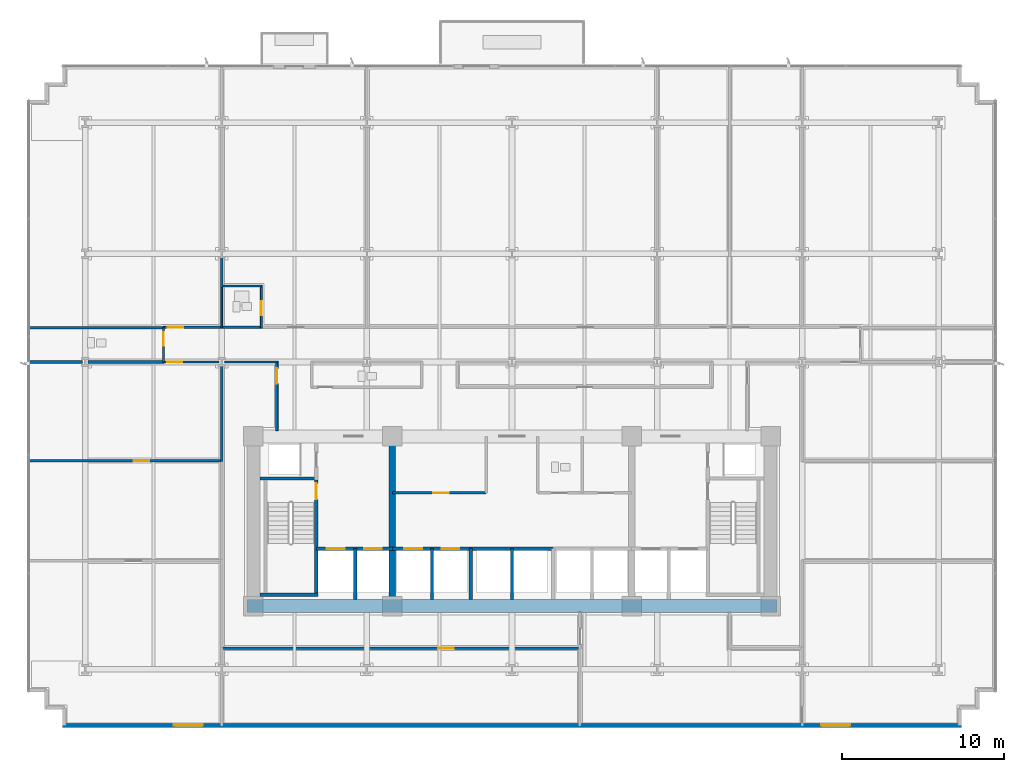
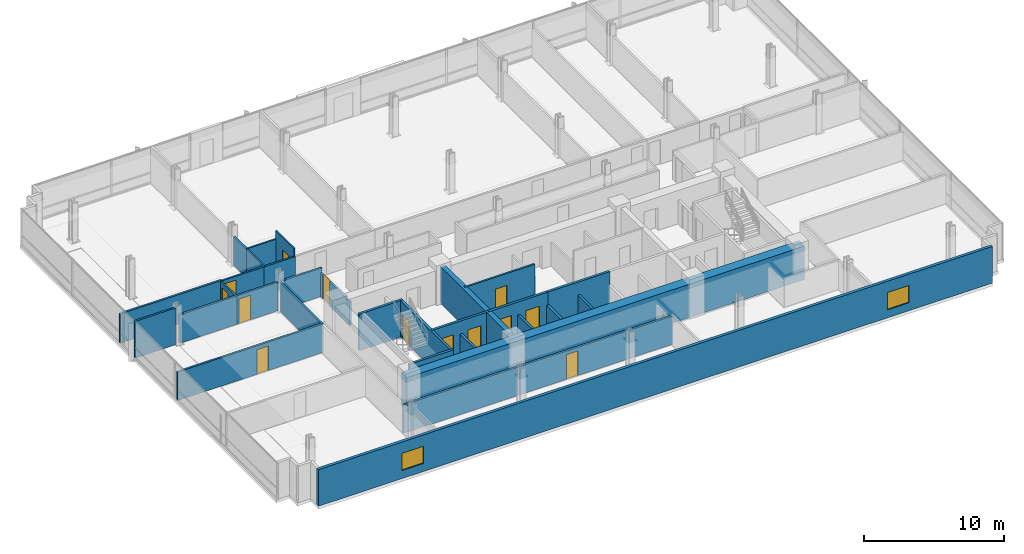
# One storey, part 13 of 21: 30 walls, 13 doors, 2 windows, 15 openings.
"""IFC4 building model written with IfcOpenShell, lengths in metres."""

from ifc_helpers import new_model, si_unit, direction, frame, frame_2d, origin, place, context, subcontext, project, spatial, rectangle, extrude, material, layer, layer_set, type_object, element, fill, save


model = new_model("IFC4")

# Units and contexts
model_context = context("Model", 3, precision=1e-05, world=origin(), true_north=direction((0.0, 1.0)))
body_context = subcontext(model_context, "Body", "Model", "MODEL_VIEW")
ifc_project = project(units=[si_unit("LENGTHUNIT", "METRE"), si_unit("AREAUNIT", "SQUARE_METRE"), si_unit("VOLUMEUNIT", "CUBIC_METRE"), si_unit("PLANEANGLEUNIT", "RADIAN"), si_unit("MASSUNIT", "GRAM", prefix="KILO")], contexts=[model_context])

# Site, building, storey
site_placement = place(None, origin())
site = spatial("IfcSite", under=ifc_project, at=site_placement, CompositionType="ELEMENT")
building_placement = place(site_placement, origin())
building = spatial("IfcBuilding", under=site, at=building_placement, Name="Solmavex Isthmus Hotel", CompositionType="ELEMENT")
storey_placement = place(building_placement, frame((0.0, 0.0, 54.0)))
storey = spatial("IfcBuildingStorey", under=building, at=storey_placement, Name="L14", CompositionType="ELEMENT", Elevation=54.0)

# Wall, openings, windows
ifc_material_1 = material(Name="Precast Concrete C40/50", Category="concrete")
ifc_layer_1 = layer(ifc_material_1, 0.25)
ifc_layer_set_1 = layer_set([ifc_layer_1], Name="Precast Concrete C40/50")
wall_type_1 = type_object("IfcWallType", Name="EW-TWR-250", PredefinedType="STANDARD", material=ifc_layer_set_1)
wall_1_placement = place(storey_placement, frame((-27.800048828125, -20.3798828125, 0.0), z_axis=(0.0, 0.0, 1.0), x_axis=(1.0, 0.0, 0.0)))
wall_1 = element("IfcWall", 1, at=wall_1_placement, inside=storey, type_object=wall_type_1, Name="Tower Rear South Facade Wall L14", PredefinedType="STANDARD", context=body_context, shape_type="SweptSolid", body=[
    extrude(rectangle(XDim=55.60009765625, YDim=0.239990234375, at=frame_2d((27.800048828125, 0.0))), origin(), (0.0, 0.0, 1.0), 3.18994140625),
])
opening_1_placement = place(wall_1_placement, frame((6.884033203125, 0.0, 0.699951171875)))
opening_1 = element("IfcOpeningElement", 2, at=opening_1_placement, cuts=wall_1, Name="Opening WN-02", PredefinedType="OPENING", context=body_context, shape_type="SweptSolid", body=[
    extrude(rectangle(XDim=1.800048828125, YDim=1.5, at=frame_2d((0.89990234375, 0.75))), frame((0.0, 0.1298828125, 0.0), z_axis=(0.0, -1.0, 0.0), x_axis=(1.0, 0.0, 0.0)), (0.0, 0.0, 1.0), 0.260009765625),
])
opening_2_placement = place(wall_1_placement, frame((46.916015625, 0.0, 0.699951171875)))
opening_2 = element("IfcOpeningElement", 3, at=opening_2_placement, cuts=wall_1, Name="Opening WN-02", PredefinedType="OPENING", context=body_context, shape_type="SweptSolid", body=[
    extrude(rectangle(XDim=1.800048828125, YDim=1.5, at=frame_2d((0.89990234375, 0.75))), frame((0.0, 0.1298828125, 0.0), z_axis=(0.0, -1.0, 0.0), x_axis=(1.0, 0.0, 0.0)), (0.0, 0.0, 1.0), 0.260009765625),
])
ifc_material_2 = material(Name="Clear low-E laminated glass", Category="glass")
window_type = type_object("IfcWindowType", Name="WIN-TWR-1800", PartitioningType="SINGLE_PANEL", PredefinedType="WINDOW", material=ifc_material_2)
window_1_placement = place(opening_1_placement, origin())
window_1 = element("IfcWindow", 4, at=window_1_placement, inside=storey, type_object=window_type, Name="South Facade Vision Window L14-S1", OverallHeight=1.5, OverallWidth=1.800048828125, PartitioningType="SINGLE_PANEL", PredefinedType="WINDOW", context=body_context, shape_type="SweptSolid", body=[
    extrude(rectangle(XDim=1.800048828125, YDim=1.5, at=frame_2d((0.89990234375, 0.75))), frame((0.0, 0.030029296875, 0.0), z_axis=(0.0, -1.0, 0.0), x_axis=(1.0, 0.0, 0.0)), (0.0, 0.0, 1.0), 0.06005859375),
])
fill(opening_1, window_1)
window_2_placement = place(opening_2_placement, origin())
window_2 = element("IfcWindow", 5, at=window_2_placement, inside=storey, type_object=window_type, Name="South Facade Vision Window L14-S2", OverallHeight=1.5, OverallWidth=1.800048828125, PartitioningType="SINGLE_PANEL", PredefinedType="WINDOW", context=body_context, shape_type="SweptSolid", body=[
    extrude(rectangle(XDim=1.800048828125, YDim=1.5, at=frame_2d((0.89990234375, 0.75))), frame((0.0, 0.030029296875, 0.0), z_axis=(0.0, -1.0, 0.0), x_axis=(1.0, 0.0, 0.0)), (0.0, 0.0, 1.0), 0.06005859375),
])
fill(opening_2, window_2)

# Walls
ifc_material_3 = material(Name="Gypsum plasterboard lining", Category="gypsum")
ifc_layer_2 = layer(ifc_material_3, 0.159912109375)
ifc_layer_set_2 = layer_set([ifc_layer_2], Name="Gypsum plasterboard lining")
wall_type_2 = type_object("IfcWallType", Name="IW-COMP-160", PredefinedType="PARTITIONING", material=ifc_layer_set_2)
wall_2_placement = place(storey_placement, frame((-17.951904296875, 8.613037109375, 0.0), z_axis=(0.0, 0.0, 1.0), x_axis=(0.0, -1.0, 0.0)))
element("IfcWall", 6, at=wall_2_placement, inside=storey, type_object=wall_type_2, Name="Interior Partition Wall W-L14-P030", PredefinedType="PARTITIONING", context=body_context, shape_type="SweptSolid", body=[
    extrude(rectangle(XDim=1.89501953125, YDim=0.159912109375, at=frame_2d((0.947509765625, 0.0))), origin(), (0.0, 0.0, 1.0), 2.4794921875),
])
wall_3_placement = place(storey_placement, frame((-21.511962890625, 4.22998046875, 0.0), z_axis=(0.0, 0.0, 1.0), x_axis=(-1.0, 0.0, 0.0)))
element("IfcWall", 7, at=wall_3_placement, inside=storey, type_object=wall_type_2, Name="Interior Partition Wall W-L14-P034", PredefinedType="PARTITIONING", context=body_context, shape_type="SweptSolid", body=[
    extrude(rectangle(XDim=8.407958984375, YDim=0.159912109375, at=frame_2d((4.2041015625, 0.0))), origin(), (0.0, 0.0, 1.0), 2.55322265625),
])
wall_4_placement = place(storey_placement, frame((-26.574951171875, 2.10009765625, 0.0), z_axis=(0.0, 0.0, 1.0), x_axis=(-1.0, 0.0, 0.0)))
element("IfcWall", 8, at=wall_4_placement, inside=storey, type_object=wall_type_2, Name="Interior Partition Wall W-L14-P048", PredefinedType="PARTITIONING", context=body_context, shape_type="SweptSolid", body=[
    extrude(rectangle(XDim=3.344970703125, YDim=0.159912109375, at=frame_2d((1.67236328125, 0.0))), origin(), (0.0, 0.0, 1.0), 3.18994140625),
])
wall_5_placement = place(storey_placement, frame((-21.511962890625, 2.10009765625, 0.0), z_axis=(0.0, 0.0, 1.0), x_axis=(-1.0, 0.0, 0.0)))
element("IfcWall", 9, at=wall_5_placement, inside=storey, type_object=wall_type_2, Name="Interior Partition Wall W-L14-P049", PredefinedType="PARTITIONING", context=body_context, shape_type="SweptSolid", body=[
    extrude(rectangle(XDim=4.713134765625, YDim=0.159912109375, at=frame_2d((2.3564453125, 0.0))), origin(), (0.0, 0.0, 1.0), 2.4794921875),
])

# Wall, opening, door
wall_6_placement = place(storey_placement, frame((-17.912109375, -4.0, 0.0), z_axis=(0.0, 0.0, 1.0), x_axis=(-1.0, 0.0, 0.0)))
wall_6 = element("IfcWall", 10, at=wall_6_placement, inside=storey, type_object=wall_type_2, Name="Interior Partition Wall W-L14-P052", PredefinedType="PARTITIONING", context=body_context, shape_type="SweptSolid", body=[
    extrude(rectangle(XDim=12.0078125, YDim=0.159912109375, at=frame_2d((6.00390625, 0.0))), origin(), (0.0, 0.0, 1.0), 2.4794921875),
])
opening_3_placement = place(wall_6_placement, frame((4.527099609375, 0.0, 0.0)))
opening_3 = element("IfcOpeningElement", 11, at=opening_3_placement, cuts=wall_6, Name="Opening ID-C095", PredefinedType="OPENING", context=body_context, shape_type="SweptSolid", body=[
    extrude(rectangle(XDim=0.949951171875, YDim=2.14990234375, at=frame_2d((0.47509765625, 1.074951171875))), frame((0.0, 0.08984375, 0.0), z_axis=(0.0, -1.0, 0.0), x_axis=(1.0, 0.0, 0.0)), (0.0, 0.0, 1.0), 0.179931640625),
])
ifc_material_4 = material(Name="Hardwood timber", Category="wood")
door_type_1 = type_object("IfcDoorType", Name="IDR-FD60-0950", OperationType="NOTDEFINED", PredefinedType="DOOR", material=ifc_material_4)
door_1_placement = place(opening_3_placement, origin())
door_1 = element("IfcDoor", 12, at=door_1_placement, inside=storey, type_object=door_type_1, Name="Corporate Briefing Office Door L14-14", OperationType="SINGLE_SWING_RIGHT", OverallHeight=2.14990234375, OverallWidth=0.949951171875, PredefinedType="DOOR", context=body_context, shape_type="SweptSolid", body=[
    extrude(rectangle(XDim=0.949951171875, YDim=2.14990234375, at=frame_2d((0.47509765625, 1.074951171875))), frame((0.0, 0.02490234375, 0.0), z_axis=(0.0, -1.0, 0.0), x_axis=(1.0, 0.0, 0.0)), (0.0, 0.0, 1.0), 0.050048828125),
])
fill(opening_3, door_1)

# Wall
wall_7_placement = place(storey_placement, frame((-17.951904296875, 1.925048828125, 0.0), z_axis=(0.0, 0.0, 1.0), x_axis=(0.0, -1.0, 0.0)))
element("IfcWall", 13, at=wall_7_placement, inside=storey, type_object=wall_type_2, Name="Interior Partition Wall W-L14-P053", PredefinedType="PARTITIONING", context=body_context, shape_type="SweptSolid", body=[
    extrude(rectangle(XDim=5.965087890625, YDim=0.159912109375, at=frame_2d((2.982421875, 0.0))), origin(), (0.0, 0.0, 1.0), 2.4794921875),
])

# Wall, opening, door
wall_8_placement = place(storey_placement, frame((4.239990234375, -15.60009765625, 0.0), z_axis=(0.0, 0.0, 1.0), x_axis=(-1.0, 0.0, 0.0)))
wall_8 = element("IfcWall", 14, at=wall_8_placement, inside=storey, type_object=wall_type_2, Name="Interior Partition Wall W-L14-P059", PredefinedType="PARTITIONING", context=body_context, shape_type="SweptSolid", body=[
    extrude(rectangle(XDim=22.23193359375, YDim=0.159912109375, at=frame_2d((11.115966796875, 0.0))), origin(), (0.0, 0.0, 1.0), 2.4794921875),
])
opening_4_placement = place(wall_8_placement, frame((7.849853515625, 0.0, 0.0)))
opening_4 = element("IfcOpeningElement", 15, at=opening_4_placement, cuts=wall_8, Name="Opening ID-C095", PredefinedType="OPENING", context=body_context, shape_type="SweptSolid", body=[
    extrude(rectangle(XDim=0.949951171875, YDim=2.14990234375, at=frame_2d((0.47509765625, 1.074951171875))), frame((0.0, 0.08984375, 0.0), z_axis=(0.0, -1.0, 0.0), x_axis=(1.0, 0.0, 0.0)), (0.0, 0.0, 1.0), 0.179931640625),
])
door_2_placement = place(opening_4_placement, origin())
door_2 = element("IfcDoor", 16, at=door_2_placement, inside=storey, type_object=door_type_1, Name="Corporate Briefing Office Door L14-17", OperationType="SINGLE_SWING_LEFT", OverallHeight=2.14990234375, OverallWidth=0.949951171875, PredefinedType="DOOR", context=body_context, shape_type="SweptSolid", body=[
    extrude(rectangle(XDim=0.949951171875, YDim=2.14990234375, at=frame_2d((0.47509765625, 1.074951171875))), frame((0.0, 0.02490234375, 0.0), z_axis=(0.0, -1.0, 0.0), x_axis=(1.0, 0.0, 0.0)), (0.0, 0.0, 1.0), 0.050048828125),
])
fill(opening_4, door_2)

ifc_layer_3 = layer(ifc_material_3, 0.14990234375)
ifc_layer_set_3 = layer_set([ifc_layer_3], Name="Gypsum plasterboard lining")
wall_type_3 = type_object("IfcWallType", Name="IW-CORR-150", PredefinedType="PARTITIONING", material=ifc_layer_set_3)
wall_9_placement = place(storey_placement, frame((-7.39990234375, -6.0, 0.0), z_axis=(0.0, 0.0, 1.0), x_axis=(1.0, 0.0, 0.0)))
wall_9 = element("IfcWall", 17, at=wall_9_placement, inside=storey, type_object=wall_type_3, Name="Interior Partition Wall W-L14-BOH-WS", PredefinedType="PARTITIONING", context=body_context, shape_type="SweptSolid", body=[
    extrude(rectangle(XDim=5.7998046875, YDim=0.14990234375, at=frame_2d((2.89990234375, 0.0))), origin(), (0.0, 0.0, 1.0), 3.18994140625),
])
opening_5_placement = place(wall_9_placement, frame((2.52490234375, 0.0, 0.0)))
opening_5 = element("IfcOpeningElement", 18, at=opening_5_placement, cuts=wall_9, Name="Opening ID-C095", PredefinedType="OPENING", context=body_context, shape_type="SweptSolid", body=[
    extrude(rectangle(XDim=0.949951171875, YDim=2.14990234375, at=frame_2d((0.47509765625, 1.074951171875))), frame((0.0, 0.0849609375, 0.0), z_axis=(0.0, -1.0, 0.0), x_axis=(1.0, 0.0, 0.0)), (0.0, 0.0, 1.0), 0.169921875),
])
door_3_placement = place(opening_5_placement, frame((0.949951171875, 0.0, 0.0), z_axis=(0.0, 0.0, 1.0), x_axis=(-1.0, 0.0, 0.0)))
door_3 = element("IfcDoor", 19, at=door_3_placement, inside=storey, type_object=door_type_1, Name="Housekeeping Room Door L14", OperationType="SINGLE_SWING_LEFT", OverallHeight=2.14990234375, OverallWidth=0.949951171875, PredefinedType="DOOR", context=body_context, shape_type="SweptSolid", body=[
    extrude(rectangle(XDim=0.949951171875, YDim=2.14990234375, at=frame_2d((0.47509765625, 1.074951171875))), frame((0.0, 0.02490234375, 0.0), z_axis=(0.0, -1.0, 0.0), x_axis=(1.0, 0.0, 0.0)), (0.0, 0.0, 1.0), 0.050048828125),
])
fill(opening_5, door_3)

wall_10_placement = place(storey_placement, frame((-21.592041015625, 4.25, 0.0), z_axis=(0.0, 0.0, 1.0), x_axis=(1.0, 0.0, 0.0)))
wall_10 = element("IfcWall", 20, at=wall_10_placement, inside=storey, type_object=wall_type_3, Name="Interior Partition Wall W-L14-P001", PredefinedType="PARTITIONING", context=body_context, shape_type="SweptSolid", body=[
    extrude(rectangle(XDim=3.721923828125, YDim=0.14990234375, at=frame_2d((1.86083984375, 0.0))), origin(), (0.0, 0.0, 1.0), 2.4794921875),
])
opening_6_placement = place(wall_10_placement, frame((0.315185546875, 0.0, 0.0)))
opening_6 = element("IfcOpeningElement", 21, at=opening_6_placement, cuts=wall_10, Name="Opening ID-C095", PredefinedType="OPENING", context=body_context, shape_type="SweptSolid", body=[
    extrude(rectangle(XDim=0.949951171875, YDim=2.14990234375, at=frame_2d((0.47509765625, 1.074951171875))), frame((0.0, 0.0849609375, 0.0), z_axis=(0.0, -1.0, 0.0), x_axis=(1.0, 0.0, 0.0)), (0.0, 0.0, 1.0), 0.169921875),
])
door_4_placement = place(opening_6_placement, origin())
door_4 = element("IfcDoor", 22, at=door_4_placement, inside=storey, type_object=door_type_1, Name="Corporate Briefing Office Door L14-01", OperationType="SINGLE_SWING_LEFT", OverallHeight=2.14990234375, OverallWidth=0.949951171875, PredefinedType="DOOR", context=body_context, shape_type="SweptSolid", body=[
    extrude(rectangle(XDim=0.949951171875, YDim=2.14990234375, at=frame_2d((0.47509765625, 1.074951171875))), frame((0.0, 0.02490234375, 0.0), z_axis=(0.0, -1.0, 0.0), x_axis=(1.0, 0.0, 0.0)), (0.0, 0.0, 1.0), 0.050048828125),
])
fill(opening_6, door_4)

# Wall
wall_11_placement = place(storey_placement, frame((-18.033935546875, 4.25, 0.0), z_axis=(0.0, 0.0, 1.0), x_axis=(1.0, 0.0, 0.0)))
element("IfcWall", 23, at=wall_11_placement, inside=storey, type_object=wall_type_3, Name="Interior Partition Wall W-L14-P003", PredefinedType="PARTITIONING", context=body_context, shape_type="SweptSolid", body=[
    extrude(rectangle(XDim=2.614013671875, YDim=0.14990234375, at=frame_2d((1.30712890625, 0.0))), origin(), (0.0, 0.0, 1.0), 2.4794921875),
])

# Wall, opening, door
wall_12_placement = place(storey_placement, frame((-21.552001953125, 2.06005859375, 0.0), z_axis=(0.0, 0.0, 1.0), x_axis=(0.0, 1.0, 0.0)))
wall_12 = element("IfcWall", 24, at=wall_12_placement, inside=storey, type_object=wall_type_3, Name="Interior Partition Wall W-L14-P014", PredefinedType="PARTITIONING", context=body_context, shape_type="SweptSolid", body=[
    extrude(rectangle(XDim=2.2099609375, YDim=0.14990234375, at=frame_2d((1.10498046875, 0.0))), origin(), (0.0, 0.0, 1.0), 2.4794921875),
])
opening_7_placement = place(wall_12_placement, frame((1.037841796875, 0.0, 0.0)))
opening_7 = element("IfcOpeningElement", 25, at=opening_7_placement, cuts=wall_12, Name="Opening ID-R085", PredefinedType="OPENING", context=body_context, shape_type="SweptSolid", body=[
    extrude(rectangle(XDim=0.85009765625, YDim=2.050048828125, at=frame_2d((0.425048828125, 1.02490234375))), frame((0.0, 0.0849609375, 0.0), z_axis=(0.0, -1.0, 0.0), x_axis=(1.0, 0.0, 0.0)), (0.0, 0.0, 1.0), 0.169921875),
])
ifc_material_5 = material(Name="Steel ASTM A500 Grade C", Category="steel")
door_type_2 = type_object("IfcDoorType", Name="IDR-FD60-0850", OperationType="NOTDEFINED", PredefinedType="DOOR", material=ifc_material_5)
door_5_placement = place(opening_7_placement, origin())
door_5 = element("IfcDoor", 26, at=door_5_placement, inside=storey, type_object=door_type_2, Name="Public Restroom WC Door L14-09", OperationType="SINGLE_SWING_LEFT", OverallHeight=2.050048828125, OverallWidth=0.85009765625, PredefinedType="DOOR", context=body_context, shape_type="SweptSolid", body=[
    extrude(rectangle(XDim=0.85009765625, YDim=2.050048828125, at=frame_2d((0.425048828125, 1.02490234375))), frame((0.0, 0.02490234375, 0.0), z_axis=(0.0, -1.0, 0.0), x_axis=(1.0, 0.0, 0.0)), (0.0, 0.0, 1.0), 0.050048828125),
])
fill(opening_7, door_5)

wall_13_placement = place(storey_placement, frame((-18.126953125, 2.10009765625, 0.0), z_axis=(0.0, 0.0, 1.0), x_axis=(-1.0, 0.0, 0.0)))
wall_13 = element("IfcWall", 27, at=wall_13_placement, inside=storey, type_object=wall_type_3, Name="Interior Partition Wall W-L14-P024", PredefinedType="PARTITIONING", context=body_context, shape_type="SweptSolid", body=[
    extrude(rectangle(XDim=3.465087890625, YDim=0.14990234375, at=frame_2d((1.732421875, 0.0))), origin(), (0.0, 0.0, 1.0), 2.4794921875),
])
opening_8_placement = place(wall_13_placement, frame((2.252685546875, 0.0, 0.0)))
opening_8 = element("IfcOpeningElement", 28, at=opening_8_placement, cuts=wall_13, Name="Opening ID-C095", PredefinedType="OPENING", context=body_context, shape_type="SweptSolid", body=[
    extrude(rectangle(XDim=0.949951171875, YDim=2.14990234375, at=frame_2d((0.47509765625, 1.074951171875))), frame((0.0, 0.0849609375, 0.0), z_axis=(0.0, -1.0, 0.0), x_axis=(1.0, 0.0, 0.0)), (0.0, 0.0, 1.0), 0.169921875),
])
door_6_placement = place(opening_8_placement, origin())
door_6 = element("IfcDoor", 29, at=door_6_placement, inside=storey, type_object=door_type_1, Name="Catering Servery Kitchen Door L14-12", OperationType="SINGLE_SWING_RIGHT", OverallHeight=2.14990234375, OverallWidth=0.949951171875, PredefinedType="DOOR", context=body_context, shape_type="SweptSolid", body=[
    extrude(rectangle(XDim=0.949951171875, YDim=2.14990234375, at=frame_2d((0.47509765625, 1.074951171875))), frame((0.0, 0.02490234375, 0.0), z_axis=(0.0, -1.0, 0.0), x_axis=(1.0, 0.0, 0.0)), (0.0, 0.0, 1.0), 0.050048828125),
])
fill(opening_8, door_6)

wall_14_placement = place(storey_placement, frame((-14.5439453125, -2.139892578125, 0.0), z_axis=(0.0, 0.0, 1.0), x_axis=(0.0, 1.0, 0.0)))
wall_14 = element("IfcWall", 30, at=wall_14_placement, inside=storey, type_object=wall_type_3, Name="Interior Partition Wall W-L14-P026", PredefinedType="PARTITIONING", context=body_context, shape_type="SweptSolid", body=[
    extrude(rectangle(XDim=4.27978515625, YDim=0.14990234375, at=frame_2d((2.139892578125, 0.0))), origin(), (0.0, 0.0, 1.0), 2.074951171875),
])
opening_9_placement = place(wall_14_placement, frame((2.89990234375, 0.0, 0.0)))
opening_9 = element("IfcOpeningElement", 31, at=opening_9_placement, cuts=wall_14, Name="Opening ID-C095", PredefinedType="OPENING", context=body_context, shape_type="SweptSolid", body=[
    extrude(rectangle(XDim=0.949951171875, YDim=2.14990234375, at=frame_2d((0.47509765625, 1.074951171875))), frame((0.0, 0.0849609375, 0.0), z_axis=(0.0, -1.0, 0.0), x_axis=(1.0, 0.0, 0.0)), (0.0, 0.0, 1.0), 0.169921875),
])
door_7_placement = place(opening_9_placement, frame((0.949951171875, 0.0, 0.0), z_axis=(0.0, 0.0, 1.0), x_axis=(-1.0, 0.0, 0.0)))
door_7 = element("IfcDoor", 32, at=door_7_placement, inside=storey, type_object=door_type_1, Name="Catering Servery Kitchen Door L14-15", OperationType="SINGLE_SWING_LEFT", OverallHeight=2.14990234375, OverallWidth=0.949951171875, PredefinedType="DOOR", context=body_context, shape_type="SweptSolid", body=[
    extrude(rectangle(XDim=0.949951171875, YDim=2.14990234375, at=frame_2d((0.47509765625, 1.074951171875))), frame((0.0, 0.02490234375, 0.0), z_axis=(0.0, -1.0, 0.0), x_axis=(1.0, 0.0, 0.0)), (0.0, 0.0, 1.0), 0.050048828125),
])
fill(opening_9, door_7)

# Walls
wall_15_placement = place(storey_placement, frame((-14.50390625, 2.10009765625, 0.0), z_axis=(0.0, 0.0, 1.0), x_axis=(-1.0, 0.0, 0.0)))
element("IfcWall", 33, at=wall_15_placement, inside=storey, type_object=wall_type_3, Name="Interior Partition Wall W-L14-P027", PredefinedType="PARTITIONING", context=body_context, shape_type="SweptSolid", body=[
    extrude(rectangle(XDim=3.273193359375, YDim=0.14990234375, at=frame_2d((1.63671875, 0.0))), origin(), (0.0, 0.0, 1.0), 2.4794921875),
])
ifc_layer_4 = layer(ifc_material_3, 0.1201171875)
ifc_layer_set_4 = layer_set([ifc_layer_4], Name="Gypsum plasterboard lining")
wall_type_4 = type_object("IfcWallType", Name="IW-PART-120", PredefinedType="PARTITIONING", material=ifc_layer_set_4)
wall_16_placement = place(storey_placement, frame((-17.951904296875, 6.882080078125, 0.0), z_axis=(0.0, 0.0, 1.0), x_axis=(0.0, -1.0, 0.0)))
element("IfcWall", 34, at=wall_16_placement, inside=storey, type_object=wall_type_4, Name="Interior Partition Wall W-L14-P033", PredefinedType="PARTITIONING", context=body_context, shape_type="SweptSolid", body=[
    extrude(rectangle(XDim=2.672119140625, YDim=0.1201171875, at=frame_2d((1.3359375, 0.0))), origin(), (0.0, 0.0, 1.0), 2.4794921875),
])

# Wall, opening, door
wall_17_placement = place(storey_placement, frame((-15.501953125, 4.2099609375, 0.0), z_axis=(0.0, 0.0, 1.0), x_axis=(0.0, 1.0, 0.0)))
wall_17 = element("IfcWall", 35, at=wall_17_placement, inside=storey, type_object=wall_type_4, Name="Interior Partition Wall W-L14-P035", PredefinedType="PARTITIONING", context=body_context, shape_type="SweptSolid", body=[
    extrude(rectangle(XDim=2.630126953125, YDim=0.1201171875, at=frame_2d((1.31494140625, 0.0))), origin(), (0.0, 0.0, 1.0), 3.18994140625),
])
opening_10_placement = place(wall_17_placement, frame((0.782958984375, 0.0, 0.0)))
opening_10 = element("IfcOpeningElement", 36, at=opening_10_placement, cuts=wall_17, Name="Opening ID-U085", PredefinedType="OPENING", context=body_context, shape_type="SweptSolid", body=[
    extrude(rectangle(XDim=0.85009765625, YDim=2.10009765625, at=frame_2d((0.425048828125, 1.050048828125))), frame((0.0, 0.070068359375, 0.0), z_axis=(0.0, -1.0, 0.0), x_axis=(1.0, 0.0, 0.0)), (0.0, 0.0, 1.0), 0.14013671875),
])
door_type_3 = type_object("IfcDoorType", Name="IDR-UNR-0850", OperationType="NOTDEFINED", PredefinedType="DOOR", material=ifc_material_4)
door_8_placement = place(opening_10_placement, frame((0.85009765625, 0.0, 0.0), z_axis=(0.0, 0.0, 1.0), x_axis=(-1.0, 0.0, 0.0)))
door_8 = element("IfcDoor", 37, at=door_8_placement, inside=storey, type_object=door_type_3, Name="En-suite Bathroom Door L14-03", OperationType="SINGLE_SWING_LEFT", OverallHeight=2.10009765625, OverallWidth=0.85009765625, PredefinedType="DOOR", context=body_context, shape_type="SweptSolid", body=[
    extrude(rectangle(XDim=0.85009765625, YDim=2.10009765625, at=frame_2d((0.425048828125, 1.050048828125))), frame((0.0, 0.02490234375, 0.0), z_axis=(0.0, -1.0, 0.0), x_axis=(1.0, 0.0, 0.0)), (0.0, 0.0, 1.0), 0.050048828125),
])
fill(opening_10, door_8)

# Walls
wall_18_placement = place(storey_placement, frame((-15.4619140625, 6.800048828125, 0.0), z_axis=(0.0, 0.0, 1.0), x_axis=(-1.0, 0.0, 0.0)))
element("IfcWall", 38, at=wall_18_placement, inside=storey, type_object=wall_type_4, Name="Interior Partition Wall W-L14-P036", PredefinedType="PARTITIONING", context=body_context, shape_type="SweptSolid", body=[
    extrude(rectangle(XDim=2.530029296875, YDim=0.1201171875, at=frame_2d((1.26513671875, 0.0))), origin(), (0.0, 0.0, 1.0), 2.4794921875),
])
ifc_material_6 = material(Name="Concrete C40/50", Category="concrete")
ifc_layer_5 = layer(ifc_material_6, 0.179931640625)
ifc_layer_set_5 = layer_set([ifc_layer_5], Name="Concrete C40/50")
wall_type_5 = type_object("IfcWallType", Name="IW-SHAFT-180", PredefinedType="PARTITIONING", material=ifc_layer_set_5)
for number, where, z_axis, x_axis, name in (
    (39, (-4.949951171875, -12.60009765625, 0.0), (0.0, 0.0, 1.0), (0.0, 1.0, 0.0), "Interior Partition Wall W-L14-SH-PLL-M"),
    (40, (0.0, -12.60009765625, 0.0), (0.0, 0.0, 1.0), (0.0, 1.0, 0.0), "Interior Partition Wall W-L14-SH-PLM-M"),
):
    element("IfcWall", number, at=place(storey_placement, frame(where, z_axis=z_axis, x_axis=x_axis)), inside=storey, type_object=wall_type_5, Name=name, PredefinedType="PARTITIONING", context=body_context, shape_type="SweptSolid", body=[
        extrude(rectangle(XDim=3.150146484375, YDim=0.179931640625, at=frame_2d((1.5751953125, 0.0))), origin(), (0.0, 0.0, 1.0), 2.074951171875),
    ])

# Wall, openings, doors
ifc_layer_6 = layer(ifc_material_6, 0.199951171875)
ifc_layer_set_6 = layer_set([ifc_layer_6], Name="Concrete C40/50")
wall_type_6 = type_object("IfcWallType", Name="IW-SHAFT-200", PredefinedType="PARTITIONING", material=ifc_layer_set_6)
wall_19_placement = place(storey_placement, frame((-12.10009765625, -9.449951171875, 0.0), z_axis=(0.0, 0.0, 1.0), x_axis=(1.0, 0.0, 0.0)))
wall_19 = element("IfcWall", 41, at=wall_19_placement, inside=storey, type_object=wall_type_6, Name="Interior Partition Wall W-L14-FFLW-S", PredefinedType="PARTITIONING", context=body_context, shape_type="SweptSolid", body=[
    extrude(rectangle(XDim=4.7001953125, YDim=0.199951171875, at=frame_2d((2.35009765625, 0.0))), origin(), (0.0, 0.0, 1.0), 3.18994140625),
])
opening_11_placement = place(wall_19_placement, frame((0.64990234375, 0.0, 0.0)))
opening_11 = element("IfcOpeningElement", 42, at=opening_11_placement, cuts=wall_19, Name="Opening LD-FF", PredefinedType="OPENING", context=body_context, shape_type="SweptSolid", body=[
    extrude(rectangle(XDim=1.10009765625, YDim=2.199951171875, at=frame_2d((0.550048828125, 1.10009765625))), frame((0.0, 0.10986328125, 0.0), z_axis=(0.0, -1.0, 0.0), x_axis=(1.0, 0.0, 0.0)), (0.0, 0.0, 1.0), 0.219970703125),
])
opening_12_placement = place(wall_19_placement, frame((2.949951171875, 0.0, 0.0)))
opening_12 = element("IfcOpeningElement", 43, at=opening_12_placement, cuts=wall_19, Name="Opening LD-SV", PredefinedType="OPENING", context=body_context, shape_type="SweptSolid", body=[
    extrude(rectangle(XDim=1.10009765625, YDim=2.199951171875, at=frame_2d((0.550048828125, 1.10009765625))), frame((0.0, 0.10986328125, 0.0), z_axis=(0.0, -1.0, 0.0), x_axis=(1.0, 0.0, 0.0)), (0.0, 0.0, 1.0), 0.219970703125),
])
ifc_material_7 = material(Name="Stainless steel 316", Category="steel")
door_type_4 = type_object("IfcDoorType", Name="LDR-FF-1100", OperationType="NOTDEFINED", PredefinedType="DOOR", material=ifc_material_7)
door_9_placement = place(opening_11_placement, origin())
door_9 = element("IfcDoor", 44, at=door_9_placement, inside=storey, type_object=door_type_4, Name="Lift Landing Door FFL-1 L14", OperationType="SLIDING_TO_LEFT", OverallHeight=2.199951171875, OverallWidth=1.10009765625, PredefinedType="DOOR", context=body_context, shape_type="SweptSolid", body=[
    extrude(rectangle(XDim=1.10009765625, YDim=2.199951171875, at=frame_2d((0.550048828125, 1.10009765625))), frame((0.0, 0.02490234375, 0.0), z_axis=(0.0, -1.0, 0.0), x_axis=(1.0, 0.0, 0.0)), (0.0, 0.0, 1.0), 0.050048828125),
])
fill(opening_11, door_9)
door_type_5 = type_object("IfcDoorType", Name="LDR-SV-1100", OperationType="NOTDEFINED", PredefinedType="DOOR", material=ifc_material_7)
door_10_placement = place(opening_12_placement, origin())
door_10 = element("IfcDoor", 45, at=door_10_placement, inside=storey, type_object=door_type_5, Name="Lift Landing Door SVL-1 L14", OperationType="SLIDING_TO_RIGHT", OverallHeight=2.199951171875, OverallWidth=1.10009765625, PredefinedType="DOOR", context=body_context, shape_type="SweptSolid", body=[
    extrude(rectangle(XDim=1.10009765625, YDim=2.199951171875, at=frame_2d((0.550048828125, 1.10009765625))), frame((0.0, 0.02490234375, 0.0), z_axis=(0.0, -1.0, 0.0), x_axis=(1.0, 0.0, 0.0)), (0.0, 0.0, 1.0), 0.050048828125),
])
fill(opening_12, door_10)

# Wall
wall_20_placement = place(storey_placement, frame((-9.699951171875, -12.60009765625, 0.0), z_axis=(0.0, 0.0, 1.0), x_axis=(0.0, 1.0, 0.0)))
element("IfcWall", 46, at=wall_20_placement, inside=storey, type_object=wall_type_6, Name="Interior Partition Wall W-L14-FFLW-M", PredefinedType="PARTITIONING", context=body_context, shape_type="SweptSolid", body=[
    extrude(rectangle(XDim=3.150146484375, YDim=0.199951171875, at=frame_2d((1.5751953125, 0.0))), origin(), (0.0, 0.0, 1.0), 2.074951171875),
])

# Wall, openings, doors
wall_21_placement = place(storey_placement, frame((-7.39990234375, -9.449951171875, 0.0), z_axis=(0.0, 0.0, 1.0), x_axis=(1.0, 0.0, 0.0)))
wall_21 = element("IfcWall", 47, at=wall_21_placement, inside=storey, type_object=wall_type_6, Name="Interior Partition Wall W-L14-SH-PLL", PredefinedType="PARTITIONING", context=body_context, shape_type="SweptSolid", body=[
    extrude(rectangle(XDim=4.849853515625, YDim=0.199951171875, at=frame_2d((2.4248046875, 0.0))), origin(), (0.0, 0.0, 1.0), 3.18994140625),
])
opening_13_placement = place(wall_21_placement, frame((0.75, 0.0, 0.0)))
opening_13 = element("IfcOpeningElement", 48, at=opening_13_placement, cuts=wall_21, Name="Opening LD-PL", PredefinedType="OPENING", context=body_context, shape_type="SweptSolid", body=[
    extrude(rectangle(XDim=1.10009765625, YDim=2.199951171875, at=frame_2d((0.550048828125, 1.10009765625))), frame((0.0, 0.10986328125, 0.0), z_axis=(0.0, -1.0, 0.0), x_axis=(1.0, 0.0, 0.0)), (0.0, 0.0, 1.0), 0.219970703125),
])
opening_14_placement = place(wall_21_placement, frame((3.050048828125, 0.0, 0.0)))
opening_14 = element("IfcOpeningElement", 49, at=opening_14_placement, cuts=wall_21, Name="Opening LD-PL", PredefinedType="OPENING", context=body_context, shape_type="SweptSolid", body=[
    extrude(rectangle(XDim=1.10009765625, YDim=2.199951171875, at=frame_2d((0.550048828125, 1.10009765625))), frame((0.0, 0.10986328125, 0.0), z_axis=(0.0, -1.0, 0.0), x_axis=(1.0, 0.0, 0.0)), (0.0, 0.0, 1.0), 0.219970703125),
])
door_type_6 = type_object("IfcDoorType", Name="LDR-PL-1100", OperationType="NOTDEFINED", PredefinedType="DOOR", material=ifc_material_7)
door_11_placement = place(opening_13_placement, origin())
door_11 = element("IfcDoor", 50, at=door_11_placement, inside=storey, type_object=door_type_6, Name="Lift Landing Door PLL1 L14", OperationType="SLIDING_TO_LEFT", OverallHeight=2.199951171875, OverallWidth=1.10009765625, PredefinedType="DOOR", context=body_context, shape_type="SweptSolid", body=[
    extrude(rectangle(XDim=1.10009765625, YDim=2.199951171875, at=frame_2d((0.550048828125, 1.10009765625))), frame((0.0, 0.02490234375, 0.0), z_axis=(0.0, -1.0, 0.0), x_axis=(1.0, 0.0, 0.0)), (0.0, 0.0, 1.0), 0.050048828125),
])
fill(opening_13, door_11)
door_12_placement = place(opening_14_placement, origin())
door_12 = element("IfcDoor", 51, at=door_12_placement, inside=storey, type_object=door_type_6, Name="Lift Landing Door PLL2 L14", OperationType="SLIDING_TO_LEFT", OverallHeight=2.199951171875, OverallWidth=1.10009765625, PredefinedType="DOOR", context=body_context, shape_type="SweptSolid", body=[
    extrude(rectangle(XDim=1.10009765625, YDim=2.199951171875, at=frame_2d((0.550048828125, 1.10009765625))), frame((0.0, 0.02490234375, 0.0), z_axis=(0.0, -1.0, 0.0), x_axis=(1.0, 0.0, 0.0)), (0.0, 0.0, 1.0), 0.050048828125),
])
fill(opening_14, door_12)

# Walls
wall_22_placement = place(storey_placement, frame((-2.550048828125, -12.60009765625, 0.0), z_axis=(0.0, 0.0, 1.0), x_axis=(0.0, 1.0, 0.0)))
element("IfcWall", 52, at=wall_22_placement, inside=storey, type_object=wall_type_6, Name="Interior Partition Wall W-L14-SH-PLL-E", PredefinedType="PARTITIONING", context=body_context, shape_type="SweptSolid", body=[
    extrude(rectangle(XDim=3.150146484375, YDim=0.199951171875, at=frame_2d((1.5751953125, 0.0))), origin(), (0.0, 0.0, 1.0), 2.074951171875),
])
wall_23_placement = place(storey_placement, frame((-2.550048828125, -9.449951171875, 0.0), z_axis=(0.0, 0.0, 1.0), x_axis=(1.0, 0.0, 0.0)))
element("IfcWall", 53, at=wall_23_placement, inside=storey, type_object=wall_type_6, Name="Interior Partition Wall W-L14-SH-PLM", PredefinedType="PARTITIONING", context=body_context, shape_type="SweptSolid", body=[
    extrude(rectangle(XDim=5.10009765625, YDim=0.199951171875, at=frame_2d((2.550048828125, 0.0))), origin(), (0.0, 0.0, 1.0), 3.18994140625),
])
ifc_material_8 = material(Name="Concrete C70/85", Category="concrete")
ifc_layer_7 = layer(ifc_material_8, 0.39990234375)
ifc_layer_set_7 = layer_set([ifc_layer_7], Name="Concrete C70/85")
wall_type_7 = type_object("IfcWallType", Name="WALL-CW-400L", PredefinedType="SHEAR", material=ifc_layer_set_7)
wall_24_placement = place(storey_placement, frame((-7.39990234375, -12.60009765625, 0.0), z_axis=(0.0, 0.0, 1.0), x_axis=(0.0, 1.0, 0.0)))
element("IfcWall", 54, at=wall_24_placement, inside=storey, type_object=wall_type_7, Name="Core Cross Shear Wall C1 L14", PredefinedType="SHEAR", context=body_context, shape_type="SweptSolid", body=[
    extrude(rectangle(XDim=9.7001953125, YDim=0.39990234375, at=frame_2d((4.85009765625, 0.0))), origin(), (0.0, 0.0, 1.0), 3.18994140625),
])
ifc_layer_8 = layer(ifc_material_8, 0.800048828125)
ifc_layer_set_8 = layer_set([ifc_layer_8], Name="Concrete C70/85")
wall_type_8 = type_object("IfcWallType", Name="WALL-CW-800", PredefinedType="SHEAR", material=ifc_layer_set_8)
wall_25_placement = place(storey_placement, frame((-16.39990234375, -13.0, 0.0), z_axis=(0.0, 0.0, 1.0), x_axis=(1.0, 0.0, 0.0)))
element("IfcWall", 55, at=wall_25_placement, inside=storey, type_object=wall_type_8, Name="Core Shear Wall South L14", PredefinedType="SHEAR", context=body_context, shape_type="SweptSolid", body=[
    extrude(rectangle(XDim=32.7998046875, YDim=0.800048828125, at=frame_2d((16.39990234375, 0.0))), origin(), (0.0, 0.0, 1.0), 2.909912109375),
])
ifc_layer_9 = layer(ifc_material_6, 0.199951171875)
ifc_layer_set_9 = layer_set([ifc_layer_9], Name="Concrete C40/50")
wall_type_9 = type_object("IfcWallType", Name="WALL-SW-200", PredefinedType="SOLIDWALL", material=ifc_layer_set_9)
for number, where, z_axis, x_axis, name in (
    (56, (-15.60009765625, -12.300048828125, 0.0), (0.0, 0.0, 1.0), (1.0, 0.0, 0.0), "Stairwell Structural Wall SW-L14-ST1-S"),
    (57, (-15.60009765625, -5.10009765625, 0.0), (0.0, 0.0, 1.0), (1.0, 0.0, 0.0), "Stairwell Structural Wall SW-L14-ST1-N"),
):
    element("IfcWall", number, at=place(storey_placement, frame(where, z_axis=z_axis, x_axis=x_axis)), inside=storey, type_object=wall_type_9, Name=name, PredefinedType="SOLIDWALL", context=body_context, shape_type="SweptSolid", body=[
        extrude(rectangle(XDim=3.60009765625, YDim=0.199951171875, at=frame_2d((1.800048828125, 0.0))), origin(), (0.0, 0.0, 1.0), 3.18994140625),
    ])

# Wall, opening, door
wall_26_placement = place(storey_placement, frame((-12.10009765625, -12.199951171875, 0.0), z_axis=(0.0, 0.0, 1.0), x_axis=(0.0, 1.0, 0.0)))
wall_26 = element("IfcWall", 58, at=wall_26_placement, inside=storey, type_object=wall_type_9, Name="Stairwell Structural Wall SW-L14-ST1-E", PredefinedType="SOLIDWALL", context=body_context, shape_type="SweptSolid", body=[
    extrude(rectangle(XDim=7.0, YDim=0.199951171875, at=frame_2d((3.5, 0.0))), origin(), (0.0, 0.0, 1.0), 3.18994140625),
])
opening_15_placement = place(wall_26_placement, frame((5.800048828125, 0.0, 0.0)))
opening_15 = element("IfcOpeningElement", 59, at=opening_15_placement, cuts=wall_26, Name="Opening ID-F100", PredefinedType="OPENING", context=body_context, shape_type="SweptSolid", body=[
    extrude(rectangle(XDim=1.0, YDim=2.10009765625, at=frame_2d((0.5, 1.050048828125))), frame((0.0, 0.10986328125, 0.0), z_axis=(0.0, -1.0, 0.0), x_axis=(1.0, 0.0, 0.0)), (0.0, 0.0, 1.0), 0.219970703125),
])
door_type_7 = type_object("IfcDoorType", Name="IDR-FD90-1000", OperationType="NOTDEFINED", PredefinedType="DOOR", material=ifc_material_5)
door_13_placement = place(opening_15_placement, frame((1.0, 0.0, 0.0), z_axis=(0.0, 0.0, 1.0), x_axis=(-1.0, 0.0, 0.0)))
door_13 = element("IfcDoor", 60, at=door_13_placement, inside=storey, type_object=door_type_7, Name="Stair ST-1 Fire Door L14", OperationType="SINGLE_SWING_LEFT", OverallHeight=2.10009765625, OverallWidth=1.0, PredefinedType="DOOR", context=body_context, shape_type="SweptSolid", body=[
    extrude(rectangle(XDim=1.0, YDim=2.10009765625, at=frame_2d((0.5, 1.050048828125))), frame((0.0, 0.02490234375, 0.0), z_axis=(0.0, -1.0, 0.0), x_axis=(1.0, 0.0, 0.0)), (0.0, 0.0, 1.0), 0.050048828125),
])
fill(opening_15, door_13)

save(model, "model.ifc")
